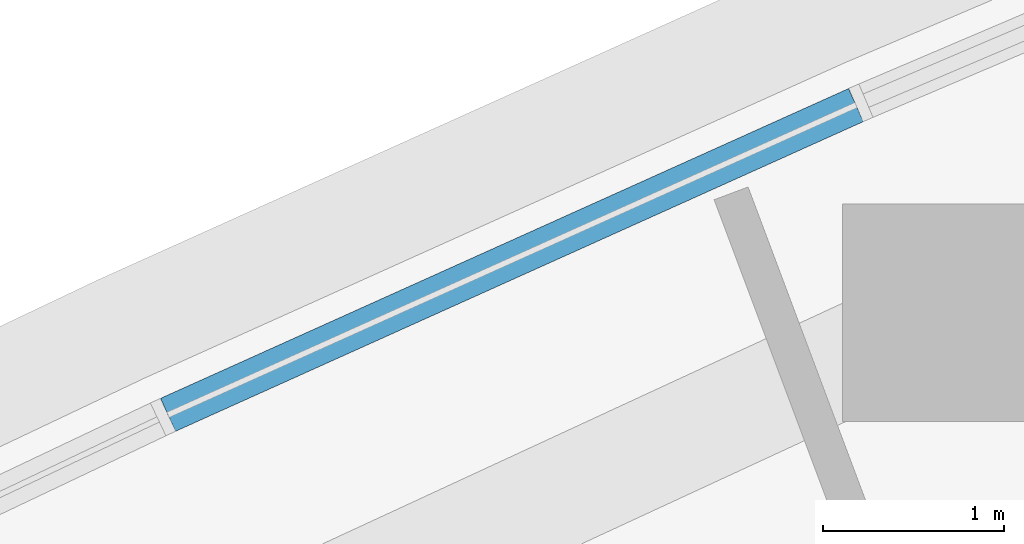
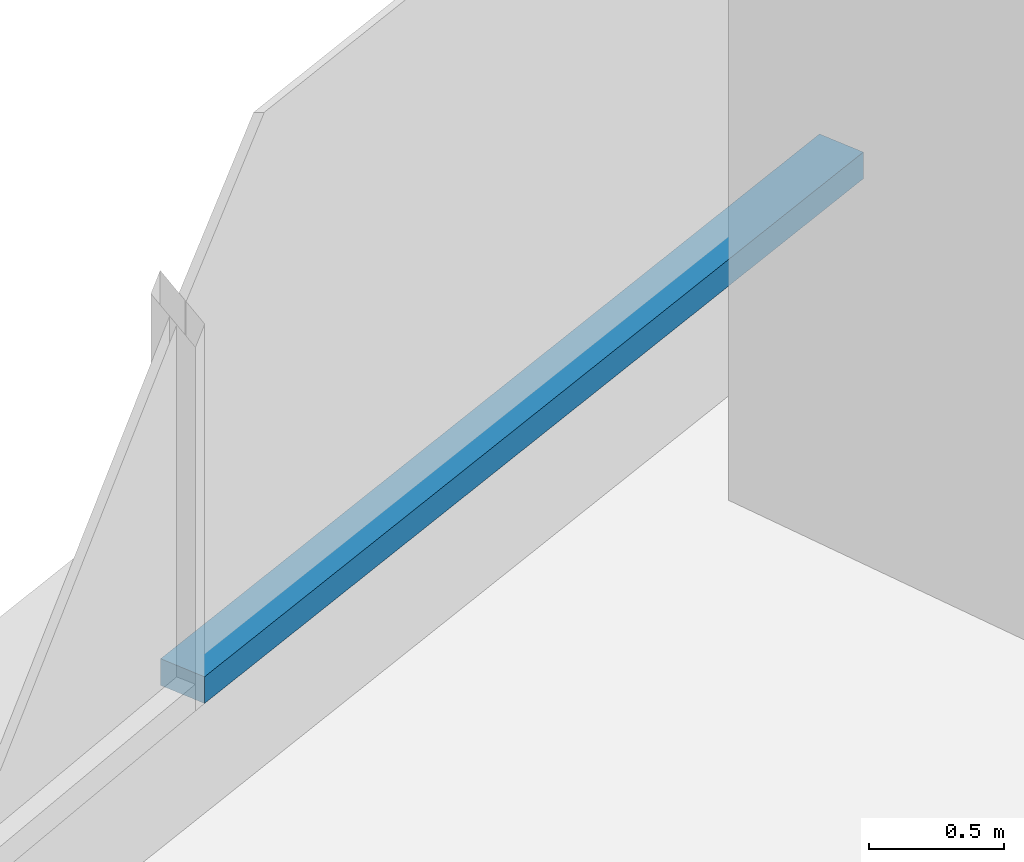
# One storey, part 3 of 15: 1 member, 1 element without a shape of its own.
"""IFC4 building model written with IfcOpenShell, lengths in metres."""

from ifc_helpers import new_model, si_unit, direction, frame, origin, origin_2d, place, context, subcontext, project, spatial, rectangle, extrude, material, layer, layer_set, material_profile, profile_set, type_object, element, aggregate, save


model = new_model("IFC4")

# Units and contexts
model_context = context("Model", 3, precision=1e-05, world=origin(), true_north=direction((0.0, 1.0)))
body_context = subcontext(model_context, "Body", "Model", "MODEL_VIEW")
ifc_project = project(units=[si_unit("LENGTHUNIT", "METRE"), si_unit("AREAUNIT", "SQUARE_METRE"), si_unit("VOLUMEUNIT", "CUBIC_METRE"), si_unit("PLANEANGLEUNIT", "RADIAN"), si_unit("MASSUNIT", "GRAM", prefix="KILO")], contexts=[model_context])

# Site, building, storey
site_placement = place(None, origin())
site = spatial("IfcSite", under=ifc_project, at=site_placement, CompositionType="ELEMENT")
building_placement = place(site_placement, origin())
building = spatial("IfcBuilding", under=site, at=building_placement, Name="Ostrand Prow Hotel Tower", CompositionType="ELEMENT")
storey_placement = place(building_placement, frame((0.0, 0.0, 238.550048828125)))
storey = spatial("IfcBuildingStorey", under=building, at=storey_placement, Name="L60", CompositionType="ELEMENT", Elevation=238.550048828125)

# Curtain wall, member
ifc_material_1 = material(Name="Insulated glass in bronze anodised frame", Category="glass")
ifc_layer = layer(ifc_material_1, 0.199951171875)
ifc_layer_set = layer_set([ifc_layer], Name="Insulated glass in bronze anodised frame")
curtain_wall_type = type_object("IfcCurtainWallType", Name="Strip curtain wall, fritted glass over bronze spandrel", PredefinedType="NOTDEFINED", material=ifc_layer_set)
curtain_wall_placement = place(storey_placement, origin())
curtain_wall = element("IfcCurtainWall", 1, at=curtain_wall_placement, inside=storey, type_object=curtain_wall_type, Name="CW1 run CWN5", PredefinedType="NOTDEFINED")
ifc_material_2 = material(Name="Bronze anodised aluminium", Category="aluminium")
ifc_material_profile = material_profile(ifc_material_2, rectangle(XDim=0.199951171875, YDim=0.1201171875, at=origin_2d()), Name="Transom 120x200 bronze anodised aluminium")
ifc_profile_set = profile_set([ifc_material_profile], Name="Bronze anodised aluminium")
member_type = type_object("IfcMemberType", Name="Transom 120x200 bronze anodised aluminium", PredefinedType="USERDEFINED", material=ifc_profile_set)
member_placement = place(storey_placement, frame((20.53271484375, 10.10400390625, 0.9599609375), z_axis=(-0.911832617051, -0.410562149353, 0.0), x_axis=(0.410562149353, -0.911832617051, 0.0)))
member = element("IfcMember", 2, at=member_placement, type_object=member_type, Name="CW1 transom 1.1", ObjectType="TRANSOM", PredefinedType="USERDEFINED", context=body_context, shape_type="SweptSolid", body=[
    extrude(rectangle(XDim=0.199951171875, YDim=0.1201171875, at=origin_2d()), origin(), (0.0, 0.0, 1.0), 4.163818359375),
])
aggregate(curtain_wall, [member])

save(model, "model.ifc")
